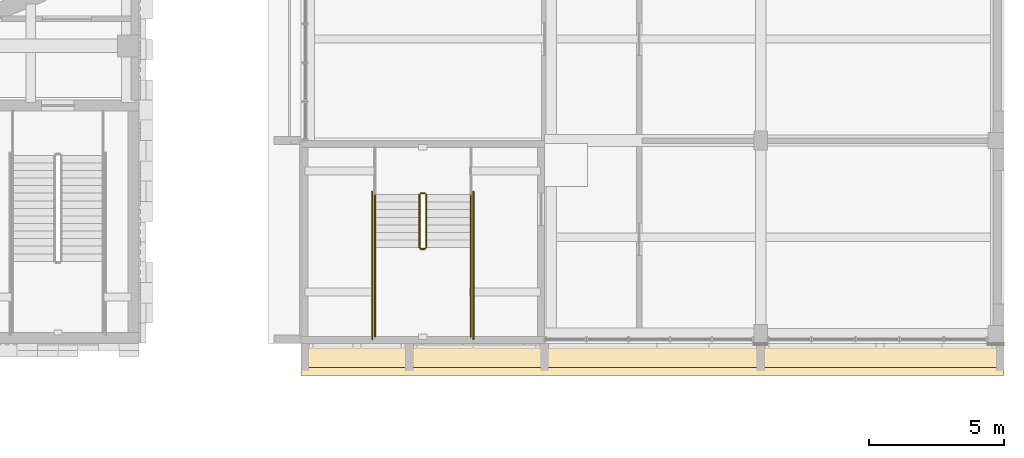
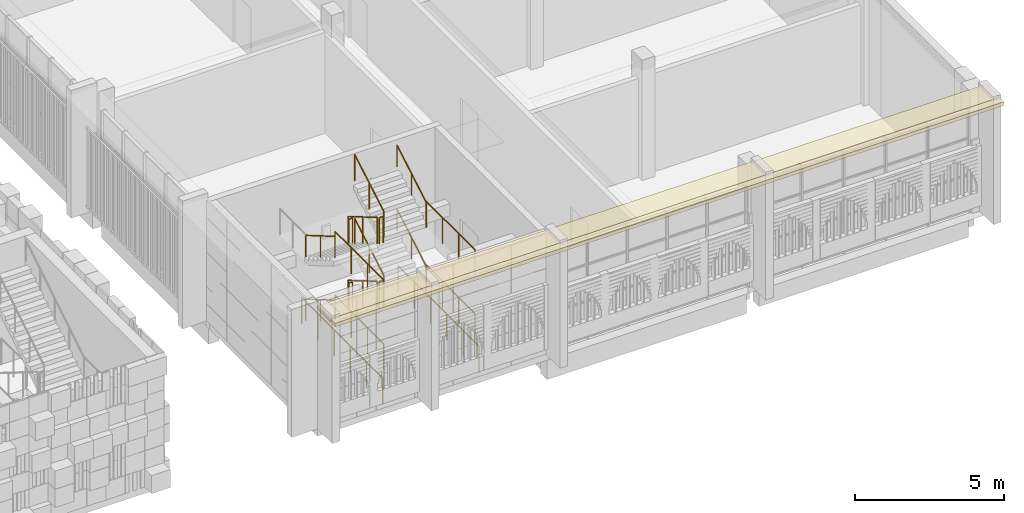
# One storey, part 109 of 125: 18 railings, 2 coverings.
"""IFC4 building model written with IfcOpenShell, lengths in metres."""

from ifc_helpers import new_model, si_unit, direction, frame, origin, origin_2d, place, context, subcontext, project, spatial, polyline, circle, outline, extrude, material, layer, layer_set, type_object, element, save


model = new_model("IFC4")

# Units and contexts
model_context = context("Model", 3, precision=1e-05, world=origin(), true_north=direction((0.0, 1.0)))
body_context = subcontext(model_context, "Body", "Model", "MODEL_VIEW")
ifc_project = project(units=[si_unit("LENGTHUNIT", "METRE"), si_unit("AREAUNIT", "SQUARE_METRE"), si_unit("VOLUMEUNIT", "CUBIC_METRE"), si_unit("PLANEANGLEUNIT", "RADIAN"), si_unit("MASSUNIT", "GRAM", prefix="KILO")], contexts=[model_context])

# Site, building, storey
site_placement = place(None, origin())
site = spatial("IfcSite", under=ifc_project, at=site_placement, CompositionType="ELEMENT")
building_placement = place(site_placement, origin())
building = spatial("IfcBuilding", under=site, at=building_placement, Name="Sun Court Science Centre", CompositionType="ELEMENT")
storey_placement = place(building_placement, frame((0.0, 0.0, 6.0)))
storey = spatial("IfcBuildingStorey", under=building, at=storey_placement, Name="L01", CompositionType="ELEMENT", Elevation=6.0)

# Railings
ifc_material_1 = material(Name="Steel S275", Category="steel")
railing_type_1 = type_object("IfcRailingType", Name="Guard 1100 steel balustrade", PredefinedType="GUARDRAIL", material=ifc_material_1)
railing_1_placement = place(storey_placement, frame((82.375, 11.501953125, 0.1640625)))
element("IfcRailing", 1, at=railing_1_placement, inside=storey, type_object=railing_type_1, Name="L01 SL1 stair guard 1", PredefinedType="GUARDRAIL", context=body_context, shape_type="SweptSolid", body=[
    extrude(circle(Radius=0.02392578125, at=origin_2d()), frame((0.0, 0.0, 1.076171875), z_axis=(0.0, -0.862794965445, 0.505554000679), x_axis=(1.0, 0.0, 0.0)), (0.0, 0.0, 1.0), 2.271728515625),
    extrude(circle(Radius=0.02099609375, at=origin_2d()), origin(), (0.0, 0.0, 1.0), 1.052001953125),
    extrude(circle(Radius=0.02099609375, at=origin_2d()), frame((0.0, -0.97998046875, 0.57421875)), (0.0, 0.0, 1.0), 1.052001953125),
    extrude(circle(Radius=0.02099609375, at=origin_2d()), frame((0.0, -1.9599609375, 1.1484375)), (0.0, 0.0, 1.0), 1.052001953125),
])
railing_2_placement = place(storey_placement, frame((82.425048828125, 9.491943359375, 1.3125)))
element("IfcRailing", 2, at=railing_2_placement, inside=storey, type_object=railing_type_1, Name="L01 SL1 stair guard 2", PredefinedType="GUARDRAIL", context=body_context, shape_type="SweptSolid", body=[
    extrude(circle(Radius=0.02392578125, at=origin_2d()), frame((0.0, 0.0, 1.076171875), z_axis=(1.0, 0.0, 0.0), x_axis=(0.0, 1.0, 0.0)), (0.0, 0.0, 1.0), 0.14990234375),
    extrude(circle(Radius=0.02099609375, at=origin_2d()), origin(), (0.0, 0.0, 1.0), 1.052001953125),
    extrude(circle(Radius=0.02099609375, at=origin_2d()), frame((0.14990234375, 0.0, 0.0)), (0.0, 0.0, 1.0), 1.052001953125),
])
for number, where, name in (
    (3, (80.72705078125, 9.5419921875, 1.3125), "L01 SL1 stair guard 3"),
    (4, (84.27294921875, 9.5419921875, 1.3125), "L01 SL1 stair guard 4"),
):
    element("IfcRailing", number, at=place(storey_placement, frame(where)), inside=storey, type_object=railing_type_1, Name=name, PredefinedType="GUARDRAIL", context=body_context, shape_type="SweptSolid", body=[
        extrude(circle(Radius=0.02392578125, at=origin_2d()), frame((0.0, 0.0, 1.076171875), z_axis=(0.0, -1.0, 0.0), x_axis=(1.0, 0.0, 0.0)), (0.0, 0.0, 1.0), 3.2919921875),
        extrude(circle(Radius=0.02099609375, at=origin_2d()), origin(), (0.0, 0.0, 1.0), 1.052001953125),
        extrude(circle(Radius=0.02099609375, at=origin_2d()), frame((0.0, -1.097412109375, 0.0)), (0.0, 0.0, 1.0), 1.052001953125),
        extrude(circle(Radius=0.02099609375, at=origin_2d()), frame((0.0, -2.194580078125, 0.0)), (0.0, 0.0, 1.0), 1.052001953125),
        extrude(circle(Radius=0.02099609375, at=origin_2d()), frame((0.0, -3.2919921875, 0.0)), (0.0, 0.0, 1.0), 1.052001953125),
    ])
railing_3_placement = place(storey_placement, frame((82.625, 9.5419921875, 1.4765625)))
element("IfcRailing", 5, at=railing_3_placement, inside=storey, type_object=railing_type_1, Name="L01 SL1 stair guard 5", PredefinedType="GUARDRAIL", context=body_context, shape_type="SweptSolid", body=[
    extrude(circle(Radius=0.02392578125, at=origin_2d()), frame((0.0, 0.0, 1.076171875), z_axis=(0.0, 0.862794965445, 0.505554000679), x_axis=(-1.0, 0.0, 0.0)), (0.0, 0.0, 1.0), 2.271728515625),
    extrude(circle(Radius=0.02099609375, at=origin_2d()), origin(), (0.0, 0.0, 1.0), 1.052001953125),
    extrude(circle(Radius=0.02099609375, at=origin_2d()), frame((0.0, 0.97998046875, 0.57421875)), (0.0, 0.0, 1.0), 1.052001953125),
    extrude(circle(Radius=0.02099609375, at=origin_2d()), frame((0.0, 1.9599609375, 1.1484375)), (0.0, 0.0, 1.0), 1.052001953125),
])
railing_4_placement = place(storey_placement, frame((82.425048828125, 11.552001953125, 2.625)))
element("IfcRailing", 6, at=railing_4_placement, inside=storey, type_object=railing_type_1, Name="L01 SL1 stair guard 6", PredefinedType="GUARDRAIL", context=body_context, shape_type="SweptSolid", body=[
    extrude(circle(Radius=0.02392578125, at=origin_2d()), frame((0.0, 0.0, 1.076171875), z_axis=(1.0, 0.0, 0.0), x_axis=(0.0, 1.0, 0.0)), (0.0, 0.0, 1.0), 0.14990234375),
    extrude(circle(Radius=0.02099609375, at=origin_2d()), origin(), (0.0, 0.0, 1.0), 1.052001953125),
    extrude(circle(Radius=0.02099609375, at=origin_2d()), frame((0.14990234375, 0.0, 0.0)), (0.0, 0.0, 1.0), 1.052001953125),
])
railing_5_placement = place(storey_placement, frame((82.375, 11.501953125, 2.7890625)))
element("IfcRailing", 7, at=railing_5_placement, inside=storey, type_object=railing_type_1, Name="L01 SL1 stair guard 9", PredefinedType="GUARDRAIL", context=body_context, shape_type="SweptSolid", body=[
    extrude(circle(Radius=0.02392578125, at=origin_2d()), frame((0.0, 0.0, 1.076171875), z_axis=(0.0, -0.862794965445, 0.505554000679), x_axis=(1.0, 0.0, 0.0)), (0.0, 0.0, 1.0), 2.271728515625),
    extrude(circle(Radius=0.02099609375, at=origin_2d()), origin(), (0.0, 0.0, 1.0), 1.052001953125),
    extrude(circle(Radius=0.02099609375, at=origin_2d()), frame((0.0, -0.97998046875, 0.57421875)), (0.0, 0.0, 1.0), 1.052001953125),
    extrude(circle(Radius=0.02099609375, at=origin_2d()), frame((0.0, -1.9599609375, 1.1484375)), (0.0, 0.0, 1.0), 1.052001953125),
])
railing_6_placement = place(storey_placement, frame((82.425048828125, 9.491943359375, 3.9375)))
element("IfcRailing", 8, at=railing_6_placement, inside=storey, type_object=railing_type_1, Name="L01 SL1 stair guard 10", PredefinedType="GUARDRAIL", context=body_context, shape_type="SweptSolid", body=[
    extrude(circle(Radius=0.02392578125, at=origin_2d()), frame((0.0, 0.0, 1.076171875), z_axis=(1.0, 0.0, 0.0), x_axis=(0.0, 1.0, 0.0)), (0.0, 0.0, 1.0), 0.14990234375),
    extrude(circle(Radius=0.02099609375, at=origin_2d()), origin(), (0.0, 0.0, 1.0), 1.052001953125),
    extrude(circle(Radius=0.02099609375, at=origin_2d()), frame((0.14990234375, 0.0, 0.0)), (0.0, 0.0, 1.0), 1.052001953125),
])
for number, where, name in (
    (9, (80.72705078125, 9.5419921875, 3.9375), "L01 SL1 stair guard 11"),
    (10, (84.27294921875, 9.5419921875, 3.9375), "L01 SL1 stair guard 12"),
):
    element("IfcRailing", number, at=place(storey_placement, frame(where)), inside=storey, type_object=railing_type_1, Name=name, PredefinedType="GUARDRAIL", context=body_context, shape_type="SweptSolid", body=[
        extrude(circle(Radius=0.02392578125, at=origin_2d()), frame((0.0, 0.0, 1.076171875), z_axis=(0.0, -1.0, 0.0), x_axis=(1.0, 0.0, 0.0)), (0.0, 0.0, 1.0), 3.2919921875),
        extrude(circle(Radius=0.02099609375, at=origin_2d()), origin(), (0.0, 0.0, 1.0), 1.052001953125),
        extrude(circle(Radius=0.02099609375, at=origin_2d()), frame((0.0, -1.097412109375, 0.0)), (0.0, 0.0, 1.0), 1.052001953125),
        extrude(circle(Radius=0.02099609375, at=origin_2d()), frame((0.0, -2.194580078125, 0.0)), (0.0, 0.0, 1.0), 1.052001953125),
        extrude(circle(Radius=0.02099609375, at=origin_2d()), frame((0.0, -3.2919921875, 0.0)), (0.0, 0.0, 1.0), 1.052001953125),
    ])
railing_7_placement = place(storey_placement, frame((82.625, 9.5419921875, 4.1015625)))
element("IfcRailing", 11, at=railing_7_placement, inside=storey, type_object=railing_type_1, Name="L01 SL1 stair guard 13", PredefinedType="GUARDRAIL", context=body_context, shape_type="SweptSolid", body=[
    extrude(circle(Radius=0.02392578125, at=origin_2d()), frame((0.0, 0.0, 1.076171875), z_axis=(0.0, 0.862794965445, 0.505554000679), x_axis=(-1.0, 0.0, 0.0)), (0.0, 0.0, 1.0), 2.271728515625),
    extrude(circle(Radius=0.02099609375, at=origin_2d()), origin(), (0.0, 0.0, 1.0), 1.052001953125),
    extrude(circle(Radius=0.02099609375, at=origin_2d()), frame((0.0, 0.97998046875, 0.57421875)), (0.0, 0.0, 1.0), 1.052001953125),
    extrude(circle(Radius=0.02099609375, at=origin_2d()), frame((0.0, 1.9599609375, 1.1484375)), (0.0, 0.0, 1.0), 1.052001953125),
])
railing_8_placement = place(storey_placement, frame((82.425048828125, 11.552001953125, 0.0)))
element("IfcRailing", 12, at=railing_8_placement, inside=storey, type_object=railing_type_1, Name="L01 SL1 stair guard 14", PredefinedType="GUARDRAIL", context=body_context, shape_type="SweptSolid", body=[
    extrude(circle(Radius=0.02392578125, at=origin_2d()), frame((0.0, 0.0, 1.076171875), z_axis=(1.0, 0.0, 0.0), x_axis=(0.0, 1.0, 0.0)), (0.0, 0.0, 1.0), 0.14990234375),
    extrude(circle(Radius=0.02099609375, at=origin_2d()), origin(), (0.0, 0.0, 1.0), 1.052001953125),
    extrude(circle(Radius=0.02099609375, at=origin_2d()), frame((0.14990234375, 0.0, 0.0)), (0.0, 0.0, 1.0), 1.052001953125),
])
for number, where, name in (
    (13, (80.626953125, 11.60205078125, 0.0), "L01 SL1 stair guard 17"),
    (14, (84.373046875, 11.60205078125, 0.0), "L01 SL1 stair guard 18"),
):
    element("IfcRailing", number, at=place(storey_placement, frame(where)), inside=storey, type_object=railing_type_1, Name=name, PredefinedType="GUARDRAIL", context=body_context, shape_type="SweptSolid", body=[
        extrude(circle(Radius=0.02392578125, at=origin_2d()), frame((0.0, 0.0, 1.076171875), z_axis=(0.0, -1.0, 0.0), x_axis=(1.0, 0.0, 0.0)), (0.0, 0.0, 1.0), 5.4521484375),
        extrude(circle(Radius=0.02099609375, at=origin_2d()), origin(), (0.0, 0.0, 1.0), 1.052001953125),
        extrude(circle(Radius=0.02099609375, at=origin_2d()), frame((0.0, -1.09033203125, 0.0)), (0.0, 0.0, 1.0), 1.052001953125),
        extrude(circle(Radius=0.02099609375, at=origin_2d()), frame((0.0, -2.180908203125, 0.0)), (0.0, 0.0, 1.0), 1.052001953125),
        extrude(circle(Radius=0.02099609375, at=origin_2d()), frame((0.0, -3.271240234375, 0.0)), (0.0, 0.0, 1.0), 1.052001953125),
        extrude(circle(Radius=0.02099609375, at=origin_2d()), frame((0.0, -4.36181640625, 0.0)), (0.0, 0.0, 1.0), 1.052001953125),
        extrude(circle(Radius=0.02099609375, at=origin_2d()), frame((0.0, -5.4521484375, 0.0)), (0.0, 0.0, 1.0), 1.052001953125),
    ])
ifc_material_2 = material(Name="Stainless steel", Category="steel")
railing_type_2 = type_object("IfcRailingType", Name="Handrail 900 stainless", PredefinedType="HANDRAIL", material=ifc_material_2)
railing_9_placement = place(storey_placement, frame((80.72705078125, 11.501953125, 0.1640625)))
element("IfcRailing", 15, at=railing_9_placement, inside=storey, type_object=railing_type_2, Name="L01 SL1 stair handrail 1", PredefinedType="HANDRAIL", context=body_context, shape_type="SweptSolid", body=[
    extrude(circle(Radius=0.02392578125, at=origin_2d()), frame((0.0, 0.0, 0.8759765625), z_axis=(0.0, -0.862794965445, 0.505554000679), x_axis=(1.0, 0.0, 0.0)), (0.0, 0.0, 1.0), 2.271728515625),
    extrude(circle(Radius=0.02099609375, at=origin_2d()), origin(), (0.0, 0.0, 1.0), 0.851806640625),
    extrude(circle(Radius=0.02099609375, at=origin_2d()), frame((0.0, -0.97998046875, 0.57421875)), (0.0, 0.0, 1.0), 0.851806640625),
    extrude(circle(Radius=0.02099609375, at=origin_2d()), frame((0.0, -1.9599609375, 1.1484375)), (0.0, 0.0, 1.0), 0.851806640625),
])
railing_10_placement = place(storey_placement, frame((84.27294921875, 9.5419921875, 1.4765625)))
element("IfcRailing", 16, at=railing_10_placement, inside=storey, type_object=railing_type_2, Name="L01 SL1 stair handrail 2", PredefinedType="HANDRAIL", context=body_context, shape_type="SweptSolid", body=[
    extrude(circle(Radius=0.02392578125, at=origin_2d()), frame((0.0, 0.0, 0.8759765625), z_axis=(0.0, 0.862794965445, 0.505554000679), x_axis=(-1.0, 0.0, 0.0)), (0.0, 0.0, 1.0), 2.271728515625),
    extrude(circle(Radius=0.02099609375, at=origin_2d()), origin(), (0.0, 0.0, 1.0), 0.851806640625),
    extrude(circle(Radius=0.02099609375, at=origin_2d()), frame((0.0, 0.97998046875, 0.57421875)), (0.0, 0.0, 1.0), 0.851806640625),
    extrude(circle(Radius=0.02099609375, at=origin_2d()), frame((0.0, 1.9599609375, 1.1484375)), (0.0, 0.0, 1.0), 0.851806640625),
])
railing_11_placement = place(storey_placement, frame((80.72705078125, 11.501953125, 2.7890625)))
element("IfcRailing", 17, at=railing_11_placement, inside=storey, type_object=railing_type_2, Name="L01 SL1 stair handrail 3", PredefinedType="HANDRAIL", context=body_context, shape_type="SweptSolid", body=[
    extrude(circle(Radius=0.02392578125, at=origin_2d()), frame((0.0, 0.0, 0.8759765625), z_axis=(0.0, -0.862794965445, 0.505554000679), x_axis=(1.0, 0.0, 0.0)), (0.0, 0.0, 1.0), 2.271728515625),
    extrude(circle(Radius=0.02099609375, at=origin_2d()), origin(), (0.0, 0.0, 1.0), 0.851806640625),
    extrude(circle(Radius=0.02099609375, at=origin_2d()), frame((0.0, -0.97998046875, 0.57421875)), (0.0, 0.0, 1.0), 0.851806640625),
    extrude(circle(Radius=0.02099609375, at=origin_2d()), frame((0.0, -1.9599609375, 1.1484375)), (0.0, 0.0, 1.0), 0.851806640625),
])
railing_12_placement = place(storey_placement, frame((84.27294921875, 9.5419921875, 4.1015625)))
element("IfcRailing", 18, at=railing_12_placement, inside=storey, type_object=railing_type_2, Name="L01 SL1 stair handrail 4", PredefinedType="HANDRAIL", context=body_context, shape_type="SweptSolid", body=[
    extrude(circle(Radius=0.02392578125, at=origin_2d()), frame((0.0, 0.0, 0.8759765625), z_axis=(0.0, 0.862794965445, 0.505554000679), x_axis=(-1.0, 0.0, 0.0)), (0.0, 0.0, 1.0), 2.271728515625),
    extrude(circle(Radius=0.02099609375, at=origin_2d()), origin(), (0.0, 0.0, 1.0), 0.851806640625),
    extrude(circle(Radius=0.02099609375, at=origin_2d()), frame((0.0, 0.97998046875, 0.57421875)), (0.0, 0.0, 1.0), 0.851806640625),
    extrude(circle(Radius=0.02099609375, at=origin_2d()), frame((0.0, 1.9599609375, 1.1484375)), (0.0, 0.0, 1.0), 0.851806640625),
])

# Coverings
ifc_material_3 = material(Name="Red sandstone", Category="masonry")
ifc_layer_1 = layer(ifc_material_3, 0.14990234375)
ifc_layer_set_1 = layer_set([ifc_layer_1], Name="Red sandstone")
covering_type_1 = type_object("IfcCoveringType", Name="Sandstone chhajja eave 1200", PredefinedType="CLADDING", material=ifc_layer_set_1)
covering_1_placement = place(storey_placement, frame((0.0, 0.0, 4.919921875)))
element("IfcCovering", 19, at=covering_1_placement, inside=storey, type_object=covering_type_1, Name="Chhajja eave south face L01", PredefinedType="CLADDING", context=body_context, shape_type="SweptSolid", body=[
    extrude(outline(polyline([(78.0, 6.0), (104.0, 6.0), (104.0, 4.800048828125), (78.0, 4.800048828125), (78.0, 6.0)])), origin(), (0.0, 0.0, 1.0), 0.150146484375),
])
ifc_material_4 = material(Name="Red sandstone", Category="masonry")
ifc_layer_2 = layer(ifc_material_4, 0.1201171875)
ifc_layer_set_2 = layer_set([ifc_layer_2], Name="Red sandstone")
covering_type_2 = type_object("IfcCoveringType", Name="Sandstone chhajja eave 900", PredefinedType="CLADDING", material=ifc_layer_set_2)
covering_2_placement = place(storey_placement, frame((0.0, 0.0, 4.949951171875)))
element("IfcCovering", 20, at=covering_2_placement, inside=storey, type_object=covering_type_2, Name="Chhajja eave south face L01", PredefinedType="CLADDING", context=body_context, shape_type="SweptSolid", body=[
    extrude(outline(polyline([(104.0, 6.0), (78.0, 6.0), (78.0, 5.10009765625), (104.0, 5.10009765625), (104.0, 6.0)])), origin(), (0.0, 0.0, 1.0), 0.1201171875),
])

save(model, "model.ifc")
